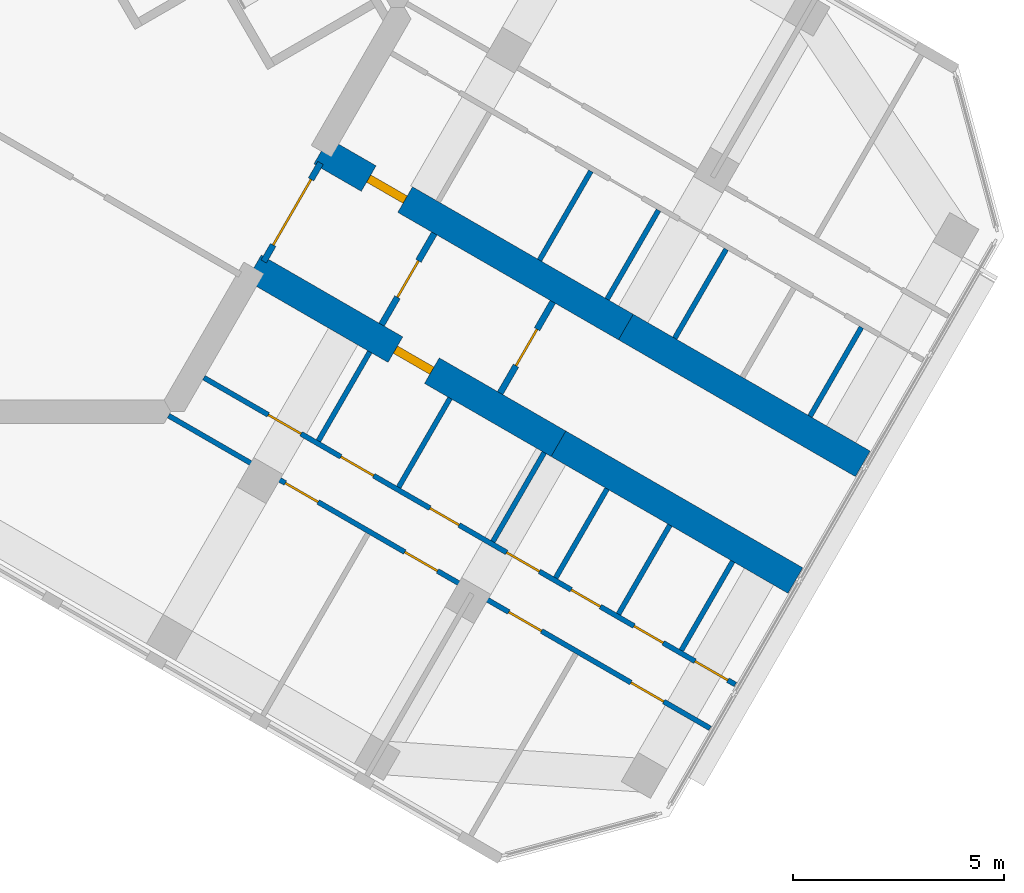
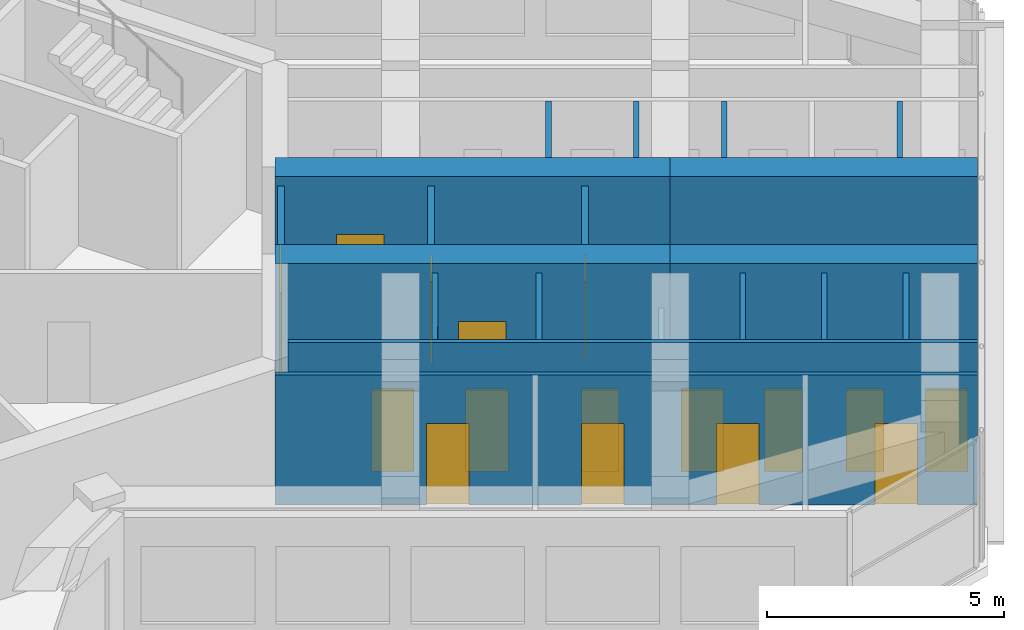
# One storey, part 10 of 14: 19 walls, 16 doors, 16 openings.
"""IFC4 building model written with IfcOpenShell, lengths in metres."""

from ifc_helpers import new_model, si_unit, direction, frame, frame_2d, origin, place, context, subcontext, project, spatial, rectangle, extrude, material, layer, layer_set, type_object, element, fill, save


model = new_model("IFC4")

# Units and contexts
model_context = context("Model", 3, precision=1e-05, world=origin(), true_north=direction((0.0, 1.0)))
body_context = subcontext(model_context, "Body", "Model", "MODEL_VIEW")
ifc_project = project(units=[si_unit("LENGTHUNIT", "METRE"), si_unit("AREAUNIT", "SQUARE_METRE"), si_unit("VOLUMEUNIT", "CUBIC_METRE"), si_unit("PLANEANGLEUNIT", "RADIAN"), si_unit("MASSUNIT", "GRAM", prefix="KILO")], contexts=[model_context])

# Site, building, storey
site_placement = place(None, origin())
site = spatial("IfcSite", under=ifc_project, at=site_placement, CompositionType="ELEMENT")
building_placement = place(site_placement, origin())
building = spatial("IfcBuilding", under=site, at=building_placement, Name="Kosmar Iwan School Tower", CompositionType="ELEMENT")
storey_placement = place(building_placement, frame((0.0, 0.0, 271.0)))
storey = spatial("IfcBuildingStorey", under=building, at=storey_placement, Name="L68", CompositionType="ELEMENT", Elevation=271.0)

# Wall, opening, door
ifc_material_1 = material(Name="Concrete C50/60", Category="concrete")
ifc_layer_1 = layer(ifc_material_1, 0.699951171875)
ifc_layer_set_1 = layer_set([ifc_layer_1], Name="Corridor buttress wall 700")
wall_type_1 = type_object("IfcWallType", Name="Corridor buttress wall 700", PredefinedType="SHEAR", material=ifc_layer_set_1)
wall_1_placement = place(storey_placement, frame((9.11376953125, -3.414306640625, 0.0), z_axis=(0.0, 0.0, 1.0), x_axis=(0.866026859388, -0.499997478812, 0.0)))
wall_1 = element("IfcWall", 1, at=wall_1_placement, inside=storey, type_object=wall_type_1, Name="Corridor wall CL", PredefinedType="SHEAR", context=body_context, shape_type="SweptSolid", body=[
    extrude(rectangle(XDim=8.35009765625, YDim=0.699951171875, at=frame_2d((4.175048828125, 0.0))), origin(), (0.0, 0.0, 1.0), 3.60009765625),
])
opening_1_placement = place(wall_1_placement, frame((1.300048828125, 0.0, 0.0)))
opening_1 = element("IfcOpeningElement", 2, at=opening_1_placement, cuts=wall_1, Name="Opening D1", PredefinedType="OPENING", context=body_context, shape_type="SweptSolid", body=[
    extrude(rectangle(XDim=1.0, YDim=2.10009765625, at=frame_2d((0.5, 1.050048828125))), frame((0.0, 0.362060546875, 0.0), z_axis=(0.0, -1.0, 0.0), x_axis=(1.0, 0.0, 0.0)), (0.0, 0.0, 1.0), 0.723876953125),
])
ifc_material_2 = material(Name="Timber fire door in steel frame", Category="steel")
door_type_1 = type_object("IfcDoorType", Name="Flat entrance door 1000x2100", OperationType="SINGLE_SWING_LEFT", PredefinedType="DOOR", material=ifc_material_2)
door_1_placement = place(opening_1_placement, origin())
door_1 = element("IfcDoor", 3, at=door_1_placement, inside=storey, type_object=door_type_1, Name="Flat L68-CL1 entrance door", OperationType="SINGLE_SWING_RIGHT", OverallHeight=2.10009765625, OverallWidth=1.0, PredefinedType="DOOR", context=body_context, shape_type="SweptSolid", body=[
    extrude(rectangle(XDim=1.0, YDim=2.10009765625, at=frame_2d((0.5, 1.050048828125))), frame((0.0, 0.10009765625, 0.0), z_axis=(0.0, -1.0, 0.0), x_axis=(1.0, 0.0, 0.0)), (0.0, 0.0, 1.0), 0.199951171875),
])
fill(opening_1, door_1)

# Wall
wall_2_placement = place(storey_placement, frame((16.34521484375, -7.58935546875, 0.0), z_axis=(0.0, 0.0, 1.0), x_axis=(0.866018451174, -0.500012042081, 0.0)))
element("IfcWall", 4, at=wall_2_placement, inside=storey, type_object=wall_type_1, Name="Corridor wall CL bay 2", PredefinedType="SHEAR", context=body_context, shape_type="SweptSolid", body=[
    extrude(rectangle(XDim=6.494873046875, YDim=0.699951171875, at=frame_2d((3.24755859375, 0.0))), origin(), (0.0, 0.0, 1.0), 3.60009765625),
])

# Wall, opening, door
wall_3_placement = place(storey_placement, frame((7.513916015625, -6.185546875, 0.0), z_axis=(0.0, 0.0, 1.0), x_axis=(0.866019549707, -0.500010139422, 0.0)))
wall_3 = element("IfcWall", 5, at=wall_3_placement, inside=storey, type_object=wall_type_1, Name="Corridor wall CR", PredefinedType="SHEAR", context=body_context, shape_type="SweptSolid", body=[
    extrude(rectangle(XDim=8.349853515625, YDim=0.699951171875, at=frame_2d((4.1748046875, 0.0))), origin(), (0.0, 0.0, 1.0), 3.60009765625),
])
opening_2_placement = place(wall_3_placement, frame((3.8798828125, 0.0, 0.0)))
opening_2 = element("IfcOpeningElement", 6, at=opening_2_placement, cuts=wall_3, Name="Opening D1", PredefinedType="OPENING", context=body_context, shape_type="SweptSolid", body=[
    extrude(rectangle(XDim=1.0, YDim=2.10009765625, at=frame_2d((0.5, 1.050048828125))), frame((0.0, 0.362060546875, 0.0), z_axis=(0.0, -1.0, 0.0), x_axis=(1.0, 0.0, 0.0)), (0.0, 0.0, 1.0), 0.723876953125),
])
door_2_placement = place(opening_2_placement, origin())
door_2 = element("IfcDoor", 7, at=door_2_placement, inside=storey, type_object=door_type_1, Name="Flat L68-CR1 entrance door", OperationType="SINGLE_SWING_LEFT", OverallHeight=2.10009765625, OverallWidth=1.0, PredefinedType="DOOR", context=body_context, shape_type="SweptSolid", body=[
    extrude(rectangle(XDim=1.0, YDim=2.10009765625, at=frame_2d((0.5, 1.050048828125))), frame((0.0, 0.10009765625, 0.0), z_axis=(0.0, -1.0, 0.0), x_axis=(1.0, 0.0, 0.0)), (0.0, 0.0, 1.0), 0.199951171875),
])
fill(opening_2, door_2)

# Wall
wall_4_placement = place(storey_placement, frame((14.7451171875, -10.360595703125, 0.0), z_axis=(0.0, 0.0, 1.0), x_axis=(0.866027848477, -0.499995765644, 0.0)))
element("IfcWall", 8, at=wall_4_placement, inside=storey, type_object=wall_type_1, Name="Corridor wall CR bay 2", PredefinedType="SHEAR", context=body_context, shape_type="SweptSolid", body=[
    extrude(rectangle(XDim=6.4951171875, YDim=0.699951171875, at=frame_2d((3.24755859375, 0.0))), origin(), (0.0, 0.0, 1.0), 3.60009765625),
])

# Wall, opening, door
ifc_material_3 = material(Name="Gypsum board on steel studs, fire-rated", Category="steel")
ifc_layer_2 = layer(ifc_material_3, 0.14990234375)
ifc_layer_set_2 = layer_set([ifc_layer_2], Name="Corridor end wall 150")
wall_type_2 = type_object("IfcWallType", Name="Corridor end wall 150", PredefinedType="PARTITIONING", material=ifc_layer_set_2)
wall_5_placement = place(storey_placement, frame((13.361328125, -9.157470703125, 0.0), z_axis=(0.0, 0.0, 1.0), x_axis=(0.500004234368, 0.866022959057, 0.0)))
wall_5 = element("IfcWall", 9, at=wall_5_placement, inside=storey, type_object=wall_type_2, Name="Partition L68-C-CE", PredefinedType="PARTITIONING", context=body_context, shape_type="SweptSolid", body=[
    extrude(rectangle(XDim=2.5, YDim=0.14990234375, at=frame_2d((1.25, 0.0))), origin(), (0.0, 0.0, 1.0), 3.35009765625),
])
opening_3_placement = place(wall_5_placement, frame((0.75, 0.0, 0.0)))
opening_3 = element("IfcOpeningElement", 10, at=opening_3_placement, cuts=wall_5, Name="Opening D13", PredefinedType="OPENING", context=body_context, shape_type="SweptSolid", body=[
    extrude(rectangle(XDim=1.0, YDim=2.10009765625, at=frame_2d((0.5, 1.050048828125))), frame((0.0, 0.0869140625, 0.0), z_axis=(0.0, -1.0, 0.0), x_axis=(1.0, 0.0, 0.0)), (0.0, 0.0, 1.0), 0.173828125),
])
ifc_material_4 = material(Name="Timber fire door with vision panel", Category="wood")
door_type_2 = type_object("IfcDoorType", Name="Corridor end door 1000x2100", OperationType="SINGLE_SWING_LEFT", PredefinedType="DOOR", material=ifc_material_4)
door_3_placement = place(opening_3_placement, origin())
door_3 = element("IfcDoor", 11, at=door_3_placement, inside=storey, type_object=door_type_2, Name="Reading room door L68-C", OperationType="SINGLE_SWING_RIGHT", OverallHeight=2.10009765625, OverallWidth=1.0, PredefinedType="DOOR", context=body_context, shape_type="SweptSolid", body=[
    extrude(rectangle(XDim=1.0, YDim=2.10009765625, at=frame_2d((0.5, 1.050048828125))), frame((0.0, 0.02490234375, 0.0), z_axis=(0.0, -1.0, 0.0), x_axis=(1.0, 0.0, 0.0)), (0.0, 0.0, 1.0), 0.050048828125),
])
fill(opening_3, door_3)

wall_6_placement = place(storey_placement, frame((10.546630859375, -7.532470703125, 0.0), z_axis=(0.0, 0.0, 1.0), x_axis=(0.500004234368, 0.866022959057, 0.0)))
wall_6 = element("IfcWall", 12, at=wall_6_placement, inside=storey, type_object=wall_type_2, Name="Partition L68-C-HW", PredefinedType="PARTITIONING", context=body_context, shape_type="SweptSolid", body=[
    extrude(rectangle(XDim=2.5, YDim=0.14990234375, at=frame_2d((1.25, 0.0))), origin(), (0.0, 0.0, 1.0), 3.35009765625),
])
opening_4_placement = place(wall_6_placement, frame((0.75, 0.0, 0.0)))
opening_4 = element("IfcOpeningElement", 13, at=opening_4_placement, cuts=wall_6, Name="Opening D13", PredefinedType="OPENING", context=body_context, shape_type="SweptSolid", body=[
    extrude(rectangle(XDim=1.0, YDim=2.10009765625, at=frame_2d((0.5, 1.050048828125))), frame((0.0, 0.0869140625, 0.0), z_axis=(0.0, -1.0, 0.0), x_axis=(1.0, 0.0, 0.0)), (0.0, 0.0, 1.0), 0.173828125),
])
door_4_placement = place(opening_4_placement, origin())
door_4 = element("IfcDoor", 14, at=door_4_placement, inside=storey, type_object=door_type_2, Name="Entrance door L68-C", OperationType="SINGLE_SWING_LEFT", OverallHeight=2.10009765625, OverallWidth=1.0, PredefinedType="DOOR", context=body_context, shape_type="SweptSolid", body=[
    extrude(rectangle(XDim=1.0, YDim=2.10009765625, at=frame_2d((0.5, 1.050048828125))), frame((0.0, 0.02490234375, 0.0), z_axis=(0.0, -1.0, 0.0), x_axis=(1.0, 0.0, 0.0)), (0.0, 0.0, 1.0), 0.050048828125),
])
fill(opening_4, door_4)

ifc_material_5 = material(Name="Steel framed glazed screen", Category="steel")
ifc_layer_3 = layer(ifc_material_5, 0.14990234375)
ifc_layer_set_3 = layer_set([ifc_layer_3], Name="Corridor screen wall 150")
wall_type_3 = type_object("IfcWallType", Name="Corridor screen wall 150", PredefinedType="PARTITIONING", material=ifc_layer_set_3)
wall_7_placement = place(storey_placement, frame((7.7470703125, -6.03173828125, 0.0), z_axis=(0.0, 0.0, 1.0), x_axis=(0.50000943426, 0.866019956843, 0.0)))
wall_7 = element("IfcWall", 15, at=wall_7_placement, inside=storey, type_object=wall_type_3, Name="Corridor screen C L68", PredefinedType="PARTITIONING", context=body_context, shape_type="SweptSolid", body=[
    extrude(rectangle(XDim=2.7001953125, YDim=0.14990234375, at=frame_2d((1.35009765625, 0.0))), origin(), (0.0, 0.0, 1.0), 3.35009765625),
])
opening_5_placement = place(wall_7_placement, frame((0.449951171875, 0.0, 0.0)))
opening_5 = element("IfcOpeningElement", 16, at=opening_5_placement, cuts=wall_7, Name="Opening D9", PredefinedType="OPENING", context=body_context, shape_type="SweptSolid", body=[
    extrude(rectangle(XDim=1.800048828125, YDim=2.10009765625, at=frame_2d((0.89990234375, 1.050048828125))), frame((0.0, 0.0869140625, 0.0), z_axis=(0.0, -1.0, 0.0), x_axis=(1.0, 0.0, 0.0)), (0.0, 0.0, 1.0), 0.173828125),
])
ifc_material_6 = material(Name="Steel framed glazed smoke door", Category="steel")
door_type_3 = type_object("IfcDoorType", Name="Corridor smoke door pair 1800x2100", OperationType="DOUBLE_DOOR_DOUBLE_SWING", PredefinedType="DOOR", material=ifc_material_6)
door_5_placement = place(opening_5_placement, origin())
door_5 = element("IfcDoor", 17, at=door_5_placement, inside=storey, type_object=door_type_3, Name="Corridor doors C L68", OperationType="DOUBLE_DOOR_DOUBLE_SWING", OverallHeight=2.10009765625, OverallWidth=1.800048828125, PredefinedType="DOOR", context=body_context, shape_type="SweptSolid", body=[
    extrude(rectangle(XDim=1.800048828125, YDim=2.10009765625, at=frame_2d((0.89990234375, 1.050048828125))), frame((0.0, 0.02490234375, 0.0), z_axis=(0.0, -1.0, 0.0), x_axis=(1.0, 0.0, 0.0)), (0.0, 0.0, 1.0), 0.050048828125),
])
fill(opening_5, door_5)

# Walls
ifc_material_7 = material(Name="Gypsum board on steel studs", Category="steel")
ifc_layer_4 = layer(ifc_material_7, 0.1201171875)
ifc_layer_set_4 = layer_set([ifc_layer_4], Name="Dwelling partition 120")
wall_type_4 = type_object("IfcWallType", Name="Dwelling partition 120", PredefinedType="PARTITIONING", material=ifc_layer_set_4)
wall_8_placement = place(storey_placement, frame((14.295166015625, -6.001708984375, 0.0), z_axis=(0.0, 0.0, 1.0), x_axis=(0.499959183527, 0.866048967903, 0.0)))
element("IfcWall", 18, at=wall_8_placement, inside=storey, type_object=wall_type_4, Name="Partition L68-CL1-Y2", PredefinedType="PARTITIONING", context=body_context, shape_type="SweptSolid", body=[
    extrude(rectangle(XDim=2.440185546875, YDim=0.1201171875, at=frame_2d((1.22021484375, 0.0))), origin(), (0.0, 0.0, 1.0), 3.35009765625),
])
for number, where, z_axis, x_axis, name in (
    (19, (15.900634765625, -6.928466796875, 0.0), (0.0, 0.0, 1.0), (0.500002508028, 0.866023955769, 0.0), "Partition L68-CL1-Y3"),
    (20, (17.506103515625, -7.85546875, 0.0), (0.0, 0.0, 1.0), (0.500002508028, 0.866023955769, 0.0), "Partition L68-CL1-Y4"),
    (21, (20.717041015625, -9.709228515625, 0.0), (0.0, 0.0, 1.0), (0.500002508028, 0.866023955769, 0.0), "Partition L68-CL1-Y6"),
):
    element("IfcWall", number, at=place(storey_placement, frame(where, z_axis=z_axis, x_axis=x_axis)), inside=storey, type_object=wall_type_4, Name=name, PredefinedType="PARTITIONING", context=body_context, shape_type="SweptSolid", body=[
        extrude(rectangle(XDim=2.43994140625, YDim=0.1201171875, at=frame_2d((1.219970703125, 0.0))), origin(), (0.0, 0.0, 1.0), 3.35009765625),
    ])

# Wall, openings, doors
wall_9_placement = place(storey_placement, frame((6.326904296875, -8.791259765625, 0.0), z_axis=(0.0, 0.0, 1.0), x_axis=(0.866023744513, -0.500002873931, 0.0)))
wall_9 = element("IfcWall", 22, at=wall_9_placement, inside=storey, type_object=wall_type_4, Name="Partition L68-CR1-W1", PredefinedType="PARTITIONING", context=body_context, shape_type="SweptSolid", body=[
    extrude(rectangle(XDim=14.5703125, YDim=0.1201171875, at=frame_2d((7.28515625, 0.0))), origin(), (0.0, 0.0, 1.0), 3.35009765625),
])
opening_6_placement = place(wall_9_placement, frame((1.764892578125, 0.0, 0.0)))
opening_6 = element("IfcOpeningElement", 23, at=opening_6_placement, cuts=wall_9, Name="Opening D2", PredefinedType="OPENING", context=body_context, shape_type="SweptSolid", body=[
    extrude(rectangle(XDim=0.89990234375, YDim=2.10009765625, at=frame_2d((0.449951171875, 1.050048828125))), frame((0.0, 0.072021484375, 0.0), z_axis=(0.0, -1.0, 0.0), x_axis=(1.0, 0.0, 0.0)), (0.0, 0.0, 1.0), 0.14404296875),
])
opening_7_placement = place(wall_9_placement, frame((3.755126953125, 0.0, 0.0)))
opening_7 = element("IfcOpeningElement", 24, at=opening_7_placement, cuts=wall_9, Name="Opening D2", PredefinedType="OPENING", context=body_context, shape_type="SweptSolid", body=[
    extrude(rectangle(XDim=0.89990234375, YDim=2.10009765625, at=frame_2d((0.449951171875, 1.050048828125))), frame((0.0, 0.072021484375, 0.0), z_axis=(0.0, -1.0, 0.0), x_axis=(1.0, 0.0, 0.0)), (0.0, 0.0, 1.0), 0.14404296875),
])
opening_8_placement = place(wall_9_placement, frame((6.1962890625, 0.0, 0.0)))
opening_8 = element("IfcOpeningElement", 25, at=opening_8_placement, cuts=wall_9, Name="Opening D3", PredefinedType="OPENING", context=body_context, shape_type="SweptSolid", body=[
    extrude(rectangle(XDim=0.800048828125, YDim=2.10009765625, at=frame_2d((0.39990234375, 1.050048828125))), frame((0.0, 0.072021484375, 0.0), z_axis=(0.0, -1.0, 0.0), x_axis=(1.0, 0.0, 0.0)), (0.0, 0.0, 1.0), 0.14404296875),
])
opening_9_placement = place(wall_9_placement, frame((8.298583984375, 0.0, 0.0)))
opening_9 = element("IfcOpeningElement", 26, at=opening_9_placement, cuts=wall_9, Name="Opening D2", PredefinedType="OPENING", context=body_context, shape_type="SweptSolid", body=[
    extrude(rectangle(XDim=0.89990234375, YDim=2.10009765625, at=frame_2d((0.449951171875, 1.050048828125))), frame((0.0, 0.072021484375, 0.0), z_axis=(0.0, -1.0, 0.0), x_axis=(1.0, 0.0, 0.0)), (0.0, 0.0, 1.0), 0.14404296875),
])
opening_10_placement = place(wall_9_placement, frame((10.070556640625, 0.0, 0.0)))
opening_10 = element("IfcOpeningElement", 27, at=opening_10_placement, cuts=wall_9, Name="Opening D3", PredefinedType="OPENING", context=body_context, shape_type="SweptSolid", body=[
    extrude(rectangle(XDim=0.800048828125, YDim=2.10009765625, at=frame_2d((0.39990234375, 1.050048828125))), frame((0.0, 0.072021484375, 0.0), z_axis=(0.0, -1.0, 0.0), x_axis=(1.0, 0.0, 0.0)), (0.0, 0.0, 1.0), 0.14404296875),
])
opening_11_placement = place(wall_9_placement, frame((11.792236328125, 0.0, 0.0)))
opening_11 = element("IfcOpeningElement", 28, at=opening_11_placement, cuts=wall_9, Name="Opening D3", PredefinedType="OPENING", context=body_context, shape_type="SweptSolid", body=[
    extrude(rectangle(XDim=0.800048828125, YDim=2.10009765625, at=frame_2d((0.39990234375, 1.050048828125))), frame((0.0, 0.072021484375, 0.0), z_axis=(0.0, -1.0, 0.0), x_axis=(1.0, 0.0, 0.0)), (0.0, 0.0, 1.0), 0.14404296875),
])
opening_12_placement = place(wall_9_placement, frame((13.464111328125, 0.0, 0.0)))
opening_12 = element("IfcOpeningElement", 29, at=opening_12_placement, cuts=wall_9, Name="Opening D2", PredefinedType="OPENING", context=body_context, shape_type="SweptSolid", body=[
    extrude(rectangle(XDim=0.89990234375, YDim=2.10009765625, at=frame_2d((0.449951171875, 1.050048828125))), frame((0.0, 0.072021484375, 0.0), z_axis=(0.0, -1.0, 0.0), x_axis=(1.0, 0.0, 0.0)), (0.0, 0.0, 1.0), 0.14404296875),
])
ifc_material_8 = material(Name="Timber door in timber frame", Category="wood")
door_type_4 = type_object("IfcDoorType", Name="Internal door 900x2100", OperationType="SINGLE_SWING_LEFT", PredefinedType="DOOR", material=ifc_material_8)
door_6_placement = place(opening_6_placement, origin())
door_6 = element("IfcDoor", 30, at=door_6_placement, inside=storey, type_object=door_type_4, Name="Utility room door L68-CR1-S1", OperationType="SINGLE_SWING_RIGHT", OverallHeight=2.10009765625, OverallWidth=0.89990234375, PredefinedType="DOOR", context=body_context, shape_type="SweptSolid", body=[
    extrude(rectangle(XDim=0.89990234375, YDim=2.10009765625, at=frame_2d((0.449951171875, 1.050048828125))), frame((0.0, 0.02490234375, 0.0), z_axis=(0.0, -1.0, 0.0), x_axis=(1.0, 0.0, 0.0)), (0.0, 0.0, 1.0), 0.050048828125),
])
fill(opening_6, door_6)
door_7_placement = place(opening_7_placement, origin())
door_7 = element("IfcDoor", 31, at=door_7_placement, inside=storey, type_object=door_type_4, Name="Entrance hall door L68-CR1-S2", OperationType="SINGLE_SWING_RIGHT", OverallHeight=2.10009765625, OverallWidth=0.89990234375, PredefinedType="DOOR", context=body_context, shape_type="SweptSolid", body=[
    extrude(rectangle(XDim=0.89990234375, YDim=2.10009765625, at=frame_2d((0.449951171875, 1.050048828125))), frame((0.0, 0.02490234375, 0.0), z_axis=(0.0, -1.0, 0.0), x_axis=(1.0, 0.0, 0.0)), (0.0, 0.0, 1.0), 0.050048828125),
])
fill(opening_7, door_7)
door_8_placement = place(opening_9_placement, origin())
door_8 = element("IfcDoor", 32, at=door_8_placement, inside=storey, type_object=door_type_4, Name="Pantry door L68-CR1-S4", OperationType="SINGLE_SWING_RIGHT", OverallHeight=2.10009765625, OverallWidth=0.89990234375, PredefinedType="DOOR", context=body_context, shape_type="SweptSolid", body=[
    extrude(rectangle(XDim=0.89990234375, YDim=2.10009765625, at=frame_2d((0.449951171875, 1.050048828125))), frame((0.0, 0.02490234375, 0.0), z_axis=(0.0, -1.0, 0.0), x_axis=(1.0, 0.0, 0.0)), (0.0, 0.0, 1.0), 0.050048828125),
])
fill(opening_9, door_8)
door_9_placement = place(opening_12_placement, origin())
door_9 = element("IfcDoor", 33, at=door_9_placement, inside=storey, type_object=door_type_4, Name="Dressing room door L68-CR1-S7", OperationType="SINGLE_SWING_RIGHT", OverallHeight=2.10009765625, OverallWidth=0.89990234375, PredefinedType="DOOR", context=body_context, shape_type="SweptSolid", body=[
    extrude(rectangle(XDim=0.89990234375, YDim=2.10009765625, at=frame_2d((0.449951171875, 1.050048828125))), frame((0.0, 0.02490234375, 0.0), z_axis=(0.0, -1.0, 0.0), x_axis=(1.0, 0.0, 0.0)), (0.0, 0.0, 1.0), 0.050048828125),
])
fill(opening_12, door_9)
ifc_material_9 = material(Name="Timber door in timber frame", Category="wood")
door_type_5 = type_object("IfcDoorType", Name="Sanitary room door 800x2100", OperationType="SINGLE_SWING_LEFT", PredefinedType="DOOR", material=ifc_material_9)
door_10_placement = place(opening_8_placement, origin())
door_10 = element("IfcDoor", 34, at=door_10_placement, inside=storey, type_object=door_type_5, Name="Bathroom door L68-CR1-S3", OperationType="SINGLE_SWING_LEFT", OverallHeight=2.10009765625, OverallWidth=0.800048828125, PredefinedType="DOOR", context=body_context, shape_type="SweptSolid", body=[
    extrude(rectangle(XDim=0.800048828125, YDim=2.10009765625, at=frame_2d((0.39990234375, 1.050048828125))), frame((0.0, 0.02490234375, 0.0), z_axis=(0.0, -1.0, 0.0), x_axis=(1.0, 0.0, 0.0)), (0.0, 0.0, 1.0), 0.050048828125),
])
fill(opening_8, door_10)
door_11_placement = place(opening_10_placement, origin())
door_11 = element("IfcDoor", 35, at=door_11_placement, inside=storey, type_object=door_type_5, Name="WC door L68-CR1-S5", OperationType="SINGLE_SWING_LEFT", OverallHeight=2.10009765625, OverallWidth=0.800048828125, PredefinedType="DOOR", context=body_context, shape_type="SweptSolid", body=[
    extrude(rectangle(XDim=0.800048828125, YDim=2.10009765625, at=frame_2d((0.39990234375, 1.050048828125))), frame((0.0, 0.02490234375, 0.0), z_axis=(0.0, -1.0, 0.0), x_axis=(1.0, 0.0, 0.0)), (0.0, 0.0, 1.0), 0.050048828125),
])
fill(opening_10, door_11)
door_12_placement = place(opening_11_placement, origin())
door_12 = element("IfcDoor", 36, at=door_12_placement, inside=storey, type_object=door_type_5, Name="Store door L68-CR1-S6", OperationType="SINGLE_SWING_RIGHT", OverallHeight=2.10009765625, OverallWidth=0.800048828125, PredefinedType="DOOR", context=body_context, shape_type="SweptSolid", body=[
    extrude(rectangle(XDim=0.800048828125, YDim=2.10009765625, at=frame_2d((0.39990234375, 1.050048828125))), frame((0.0, 0.02490234375, 0.0), z_axis=(0.0, -1.0, 0.0), x_axis=(1.0, 0.0, 0.0)), (0.0, 0.0, 1.0), 0.050048828125),
])
fill(opening_11, door_12)

wall_10_placement = place(storey_placement, frame((5.48876953125, -9.693115234375, 0.0), z_axis=(0.0, 0.0, 1.0), x_axis=(0.866030301974, -0.499991515992, 0.0)))
wall_10 = element("IfcWall", 37, at=wall_10_placement, inside=storey, type_object=wall_type_4, Name="Partition L68-CR1-W2", PredefinedType="PARTITIONING", context=body_context, shape_type="SweptSolid", body=[
    extrude(rectangle(XDim=14.844970703125, YDim=0.1201171875, at=frame_2d((7.42236328125, 0.0))), origin(), (0.0, 0.0, 1.0), 3.35009765625),
])
opening_13_placement = place(wall_10_placement, frame((3.199951171875, 0.0, 0.0)))
opening_13 = element("IfcOpeningElement", 38, at=opening_13_placement, cuts=wall_10, Name="Opening D2", PredefinedType="OPENING", context=body_context, shape_type="SweptSolid", body=[
    extrude(rectangle(XDim=0.89990234375, YDim=2.10009765625, at=frame_2d((0.449951171875, 1.050048828125))), frame((0.0, 0.072021484375, 0.0), z_axis=(0.0, -1.0, 0.0), x_axis=(1.0, 0.0, 0.0)), (0.0, 0.0, 1.0), 0.14404296875),
])
opening_14_placement = place(wall_10_placement, frame((6.47509765625, 0.0, 0.0)))
opening_14 = element("IfcOpeningElement", 39, at=opening_14_placement, cuts=wall_10, Name="Opening D2", PredefinedType="OPENING", context=body_context, shape_type="SweptSolid", body=[
    extrude(rectangle(XDim=0.89990234375, YDim=2.10009765625, at=frame_2d((0.449951171875, 1.050048828125))), frame((0.0, 0.072021484375, 0.0), z_axis=(0.0, -1.0, 0.0), x_axis=(1.0, 0.0, 0.0)), (0.0, 0.0, 1.0), 0.14404296875),
])
opening_15_placement = place(wall_10_placement, frame((9.324951171875, 0.0, 0.0)))
opening_15 = element("IfcOpeningElement", 40, at=opening_15_placement, cuts=wall_10, Name="Opening D2", PredefinedType="OPENING", context=body_context, shape_type="SweptSolid", body=[
    extrude(rectangle(XDim=0.89990234375, YDim=2.10009765625, at=frame_2d((0.449951171875, 1.050048828125))), frame((0.0, 0.072021484375, 0.0), z_axis=(0.0, -1.0, 0.0), x_axis=(1.0, 0.0, 0.0)), (0.0, 0.0, 1.0), 0.14404296875),
])
opening_16_placement = place(wall_10_placement, frame((12.675048828125, 0.0, 0.0)))
opening_16 = element("IfcOpeningElement", 41, at=opening_16_placement, cuts=wall_10, Name="Opening D2", PredefinedType="OPENING", context=body_context, shape_type="SweptSolid", body=[
    extrude(rectangle(XDim=0.89990234375, YDim=2.10009765625, at=frame_2d((0.449951171875, 1.050048828125))), frame((0.0, 0.072021484375, 0.0), z_axis=(0.0, -1.0, 0.0), x_axis=(1.0, 0.0, 0.0)), (0.0, 0.0, 1.0), 0.14404296875),
])
door_13_placement = place(opening_13_placement, origin())
door_13 = element("IfcDoor", 42, at=door_13_placement, inside=storey, type_object=door_type_4, Name="Living room and kitchen door L68-CR1-F1", OperationType="SINGLE_SWING_LEFT", OverallHeight=2.10009765625, OverallWidth=0.89990234375, PredefinedType="DOOR", context=body_context, shape_type="SweptSolid", body=[
    extrude(rectangle(XDim=0.89990234375, YDim=2.10009765625, at=frame_2d((0.449951171875, 1.050048828125))), frame((0.0, 0.02490234375, 0.0), z_axis=(0.0, -1.0, 0.0), x_axis=(1.0, 0.0, 0.0)), (0.0, 0.0, 1.0), 0.050048828125),
])
fill(opening_13, door_13)
door_14_placement = place(opening_14_placement, origin())
door_14 = element("IfcDoor", 43, at=door_14_placement, inside=storey, type_object=door_type_4, Name="Bedroom 1 door L68-CR1-F2", OperationType="SINGLE_SWING_LEFT", OverallHeight=2.10009765625, OverallWidth=0.89990234375, PredefinedType="DOOR", context=body_context, shape_type="SweptSolid", body=[
    extrude(rectangle(XDim=0.89990234375, YDim=2.10009765625, at=frame_2d((0.449951171875, 1.050048828125))), frame((0.0, 0.02490234375, 0.0), z_axis=(0.0, -1.0, 0.0), x_axis=(1.0, 0.0, 0.0)), (0.0, 0.0, 1.0), 0.050048828125),
])
fill(opening_14, door_14)
door_15_placement = place(opening_15_placement, origin())
door_15 = element("IfcDoor", 44, at=door_15_placement, inside=storey, type_object=door_type_4, Name="Dining room door L68-CR1-F3", OperationType="SINGLE_SWING_RIGHT", OverallHeight=2.10009765625, OverallWidth=0.89990234375, PredefinedType="DOOR", context=body_context, shape_type="SweptSolid", body=[
    extrude(rectangle(XDim=0.89990234375, YDim=2.10009765625, at=frame_2d((0.449951171875, 1.050048828125))), frame((0.0, 0.02490234375, 0.0), z_axis=(0.0, -1.0, 0.0), x_axis=(1.0, 0.0, 0.0)), (0.0, 0.0, 1.0), 0.050048828125),
])
fill(opening_15, door_15)
door_16_placement = place(opening_16_placement, origin())
door_16 = element("IfcDoor", 45, at=door_16_placement, inside=storey, type_object=door_type_4, Name="Study door L68-CR1-F4", OperationType="SINGLE_SWING_RIGHT", OverallHeight=2.10009765625, OverallWidth=0.89990234375, PredefinedType="DOOR", context=body_context, shape_type="SweptSolid", body=[
    extrude(rectangle(XDim=0.89990234375, YDim=2.10009765625, at=frame_2d((0.449951171875, 1.050048828125))), frame((0.0, 0.02490234375, 0.0), z_axis=(0.0, -1.0, 0.0), x_axis=(1.0, 0.0, 0.0)), (0.0, 0.0, 1.0), 0.050048828125),
])
fill(opening_16, door_16)

# Walls
for number, where, z_axis, x_axis, name in (
    (46, (10.26611328125, -8.1787109375, 0.0), (0.0, 0.0, 1.0), (-0.500077547548, -0.865980627057, 0.0), "Partition L68-CR1-Y1"),
    (47, (12.17138671875, -9.27880859375, 0.0), (0.0, 0.0, 1.0), (-0.500077547548, -0.865980627057, 0.0), "Partition L68-CR1-Y2"),
):
    element("IfcWall", number, at=place(storey_placement, frame(where, z_axis=z_axis, x_axis=x_axis)), inside=storey, type_object=wall_type_4, Name=name, PredefinedType="PARTITIONING", context=body_context, shape_type="SweptSolid", body=[
        extrude(rectangle(XDim=2.43994140625, YDim=0.1201171875, at=frame_2d((1.219970703125, 0.0))), origin(), (0.0, 0.0, 1.0), 3.35009765625),
    ])
wall_11_placement = place(storey_placement, frame((14.407958984375, -10.570068359375, 0.0), z_axis=(0.0, 0.0, 1.0), x_axis=(-0.500002508028, -0.866023955769, 0.0)))
element("IfcWall", 48, at=wall_11_placement, inside=storey, type_object=wall_type_4, Name="Partition L68-CR1-Y3", PredefinedType="PARTITIONING", context=body_context, shape_type="SweptSolid", body=[
    extrude(rectangle(XDim=2.43994140625, YDim=0.1201171875, at=frame_2d((1.219970703125, 0.0))), origin(), (0.0, 0.0, 1.0), 2.449951171875),
])
wall_12_placement = place(storey_placement, frame((15.899169921875, -11.430908203125, 0.0), z_axis=(0.0, 0.0, 1.0), x_axis=(-0.499959183527, -0.866048967903, 0.0)))
element("IfcWall", 49, at=wall_12_placement, inside=storey, type_object=wall_type_4, Name="Partition L68-CR1-Y4", PredefinedType="PARTITIONING", context=body_context, shape_type="SweptSolid", body=[
    extrude(rectangle(XDim=2.440185546875, YDim=0.1201171875, at=frame_2d((1.22021484375, 0.0))), origin(), (0.0, 0.0, 1.0), 3.35009765625),
])
for number, where, z_axis, x_axis, name in (
    (50, (17.39013671875, -12.2919921875, 0.0), (0.0, 0.0, 1.0), (-0.500002508028, -0.866023955769, 0.0), "Partition L68-CR1-Y5"),
    (51, (18.88134765625, -13.15283203125, 0.0), (0.0, 0.0, 1.0), (-0.500002508028, -0.866023955769, 0.0), "Partition L68-CR1-Y6"),
):
    element("IfcWall", number, at=place(storey_placement, frame(where, z_axis=z_axis, x_axis=x_axis)), inside=storey, type_object=wall_type_4, Name=name, PredefinedType="PARTITIONING", context=body_context, shape_type="SweptSolid", body=[
        extrude(rectangle(XDim=2.43994140625, YDim=0.1201171875, at=frame_2d((1.219970703125, 0.0))), origin(), (0.0, 0.0, 1.0), 3.35009765625),
    ])

save(model, "model.ifc")
